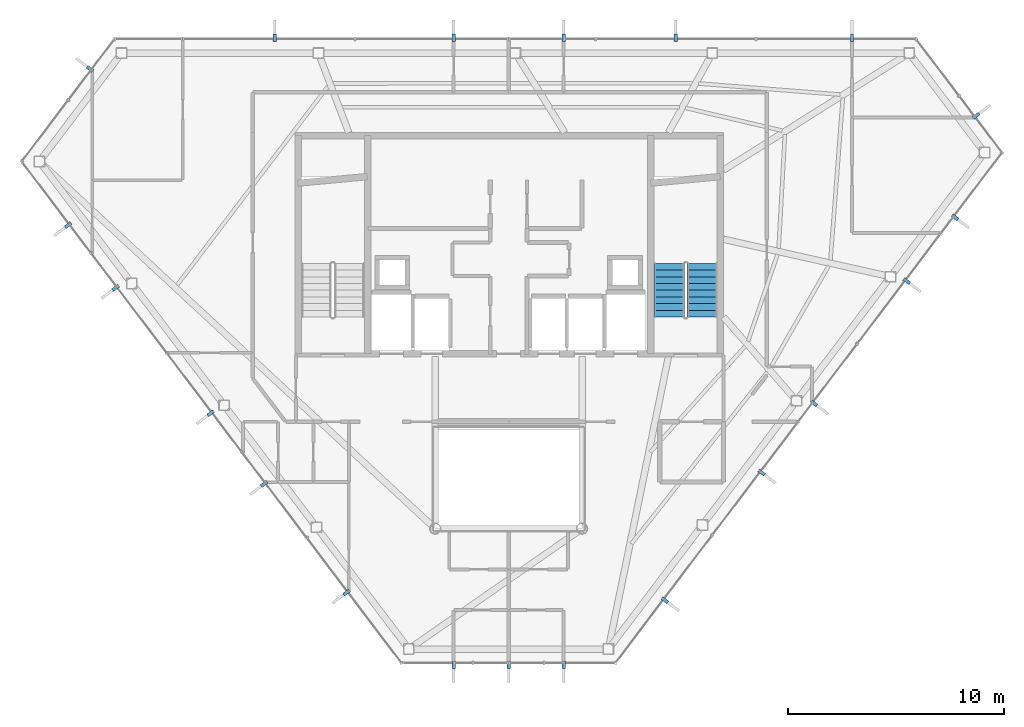
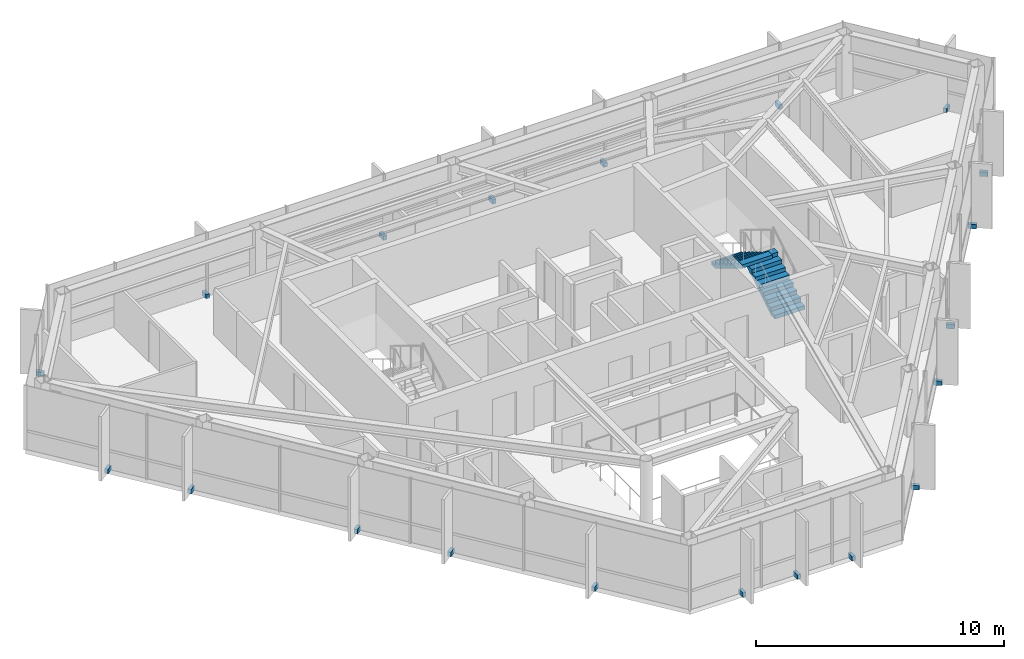
# One storey, part 25 of 26: 20 discrete accessories, 2 stair flights, 1 element without a shape of its own.
"""IFC4 building model written with IfcOpenShell, lengths in metres."""

from ifc_helpers import new_model, si_unit, direction, frame, origin, origin_2d, place, context, subcontext, project, spatial, polyline, rectangle, outline, extrude, material, type_object, element, aggregate, save


model = new_model("IFC4")

# Units and contexts
model_context = context("Model", 3, precision=1e-05, world=origin(), true_north=direction((0.0, 1.0)))
body_context = subcontext(model_context, "Body", "Model", "MODEL_VIEW")
ifc_project = project(units=[si_unit("LENGTHUNIT", "METRE"), si_unit("AREAUNIT", "SQUARE_METRE"), si_unit("VOLUMEUNIT", "CUBIC_METRE"), si_unit("PLANEANGLEUNIT", "RADIAN"), si_unit("MASSUNIT", "GRAM", prefix="KILO")], contexts=[model_context])

# Site, building, storey
site_placement = place(None, origin())
site = spatial("IfcSite", under=ifc_project, at=site_placement, CompositionType="ELEMENT")
building_placement = place(site_placement, origin())
building = spatial("IfcBuilding", under=site, at=building_placement, Name="Zarrinselat Tower", CompositionType="ELEMENT")
storey_placement = place(building_placement, frame((0.0, 0.0, 258.39990234375)))
storey = spatial("IfcBuildingStorey", under=building, at=storey_placement, Name="L65", CompositionType="ELEMENT", Elevation=258.39990234375)

# Stair, stair flights
ifc_material_1 = material(Name="Concrete C40/50", Category="concrete")
stair_type = type_object("IfcStairType", Name="STR-CORE-155", PredefinedType="HALF_TURN_STAIR", material=ifc_material_1)
stair_placement = place(storey_placement, origin())
stair = element("IfcStair", 1, at=stair_placement, inside=storey, type_object=stair_type, Name="L65 Core Exit Stair 2", PredefinedType="HALF_TURN_STAIR")
ifc_material_2 = material(Name="Concrete C40/50", Category="concrete")
stair_flight_type = type_object("IfcStairFlightType", Name="STR-FLT-155", PredefinedType="STRAIGHT", material=ifc_material_2)
stair_flight_1_placement = place(storey_placement, frame((47.360107421875, 35.0, 0.0), z_axis=(0.0, 0.0, 1.0), x_axis=(0.0, 1.0, 0.0)))
stair_flight_1 = element("IfcStairFlight", 2, at=stair_flight_1_placement, type_object=stair_flight_type, Name="ST-2 flight 1", NumberOfRisers=9, NumberOfTreads=8, PredefinedType="STRAIGHT", RiserHeight=0.188888889, TreadLength=0.31, context=body_context, shape_type="SweptSolid", body=[
    extrude(outline(polyline([(0.0, 0.0), (0.0, 0.18896484375), (0.31005859375, 0.18896484375), (0.31005859375, 0.377685546875), (0.6201171875, 0.377685546875), (0.6201171875, 0.566650390625), (0.929931640625, 0.566650390625), (0.929931640625, 0.755615234375), (1.239990234375, 0.755615234375), (1.239990234375, 0.9443359375), (1.550048828125, 0.9443359375), (1.550048828125, 1.13330078125), (1.860107421875, 1.13330078125), (1.860107421875, 1.322265625), (2.169921875, 1.322265625), (2.169921875, 1.51123046875), (2.47998046875, 1.51123046875), (2.47998046875, 1.699951171875), (2.47998046875, 1.335693359375), (0.2880859375, 0.0), (0.0, 0.0)])), frame((0.0, 0.699951171875, 0.0), z_axis=(0.0, -1.0, 0.0), x_axis=(1.0, 0.0, 0.0)), (0.0, 0.0, 1.0), 1.39990234375),
])
stair_flight_2_placement = place(storey_placement, frame((45.840087890625, 37.47998046875, 1.7001953125), z_axis=(0.0, 0.0, 1.0), x_axis=(0.0, -1.0, 0.0)))
stair_flight_2 = element("IfcStairFlight", 3, at=stair_flight_2_placement, type_object=stair_flight_type, Name="ST-2 flight 2", NumberOfRisers=9, NumberOfTreads=8, PredefinedType="STRAIGHT", RiserHeight=0.188888889, TreadLength=0.31, context=body_context, shape_type="SweptSolid", body=[
    extrude(outline(polyline([(0.0, 0.0), (0.0, 0.18896484375), (0.31005859375, 0.18896484375), (0.31005859375, 0.377685546875), (0.6201171875, 0.377685546875), (0.6201171875, 0.566650390625), (0.929931640625, 0.566650390625), (0.929931640625, 0.755615234375), (1.239990234375, 0.755615234375), (1.239990234375, 0.9443359375), (1.550048828125, 0.9443359375), (1.550048828125, 1.13330078125), (1.860107421875, 1.13330078125), (1.860107421875, 1.322265625), (2.169921875, 1.322265625), (2.169921875, 1.51123046875), (2.47998046875, 1.51123046875), (2.47998046875, 1.699951171875), (2.47998046875, 1.335693359375), (0.2880859375, 0.0), (0.0, 0.0)])), frame((0.0, 0.699951171875, 0.0), z_axis=(0.0, -1.0, 0.0), x_axis=(1.0, 0.0, 0.0)), (0.0, 0.0, 1.0), 1.39990234375),
])
aggregate(stair, [stair_flight_1, stair_flight_2])

# Discrete accessories
ifc_material_3 = material(Name="Steel S355J2", Category="steel")
discrete_accessory_type = type_object("IfcDiscreteAccessoryType", Name="ACC-FIN-BRACKET", PredefinedType="BRACKET", material=ifc_material_3)
for number, where, z_axis, x_axis, name in (
    (4, (54.301025390625, 47.936767578125, -0.0498046875), (0.0, 0.0, 1.0), (0.0, 1.0, 0.0), "L65 Fin Fixing Bracket CW-L65-E01-01"),
    (5, (46.13818359375, 47.936767578125, -0.0498046875), (0.0, 0.0, 1.0), (0.0, 1.0, 0.0), "L65 Fin Fixing Bracket CW-L65-E01-03"),
    (6, (40.949951171875, 47.936767578125, -0.0498046875), (0.0, 0.0, 1.0), (0.0, 1.0, 0.0), "L65 Fin Fixing Bracket CW-L65-E01-05"),
    (7, (35.85009765625, 47.936767578125, -0.0498046875), (0.0, 0.0, 1.0), (0.0, 1.0, 0.0), "L65 Fin Fixing Bracket CW-L65-E01-07"),
    (8, (27.57763671875, 47.936767578125, -0.0498046875), (0.0, 0.0, 1.0), (0.0, 1.0, 0.0), "L65 Fin Fixing Bracket CW-L65-E01-09"),
    (9, (19.01806640625, 46.48388671875, -0.0498046875), (0.0, 0.0, 1.0), (-0.797094404793, 0.60385470922, 0.0), "L65 Fin Fixing Bracket CW-L65-E02-01"),
    (10, (18.00390625, 39.253662109375, -0.0498046875), (0.0, 0.0, 1.0), (-0.797091697694, -0.603858282603, 0.0), "L65 Fin Fixing Bracket CW-L65-E03-01"),
    (11, (20.20361328125, 36.35009765625, -0.0498046875), (0.0, 0.0, 1.0), (-0.797091697694, -0.603858282603, 0.0), "L65 Fin Fixing Bracket CW-L65-E03-03"),
    (12, (24.602783203125, 30.54296875, -0.0498046875), (0.0, 0.0, 1.0), (-0.797091697694, -0.603858282603, 0.0), "L65 Fin Fixing Bracket CW-L65-E03-05"),
    (13, (27.081298828125, 27.271484375, -0.0498046875), (0.0, 0.0, 1.0), (-0.797091697694, -0.603858282603, 0.0), "L65 Fin Fixing Bracket CW-L65-E03-07"),
    (14, (30.894287109375, 22.23828125, -0.0498046875), (0.0, 0.0, 1.0), (-0.797091697694, -0.603858282603, 0.0), "L65 Fin Fixing Bracket CW-L65-E03-09"),
    (15, (35.85009765625, 18.901123046875, -0.0498046875), (0.0, 0.0, 1.0), (0.0, -1.0, 0.0), "L65 Fin Fixing Bracket CW-L65-E04-01"),
    (16, (38.39990234375, 18.901123046875, -0.0498046875), (0.0, 0.0, 1.0), (0.0, -1.0, 0.0), "L65 Fin Fixing Bracket CW-L65-E04-03"),
    (17, (40.949951171875, 18.901123046875, -0.0498046875), (0.0, 0.0, 1.0), (0.0, -1.0, 0.0), "L65 Fin Fixing Bracket CW-L65-E04-05"),
    (18, (45.637451171875, 21.884033203125, -0.0498046875), (0.0, 0.0, 1.0), (0.7970907221, -0.603859570382, 0.0), "L65 Fin Fixing Bracket CW-L65-E05-01"),
    (19, (50.115234375, 27.794921875, -0.0498046875), (0.0, 0.0, 1.0), (0.7970907221, -0.603859570382, 0.0), "L65 Fin Fixing Bracket CW-L65-E05-03"),
    (20, (52.54296875, 30.99951171875, -0.0498046875), (0.0, 0.0, 1.0), (0.7970907221, -0.603859570382, 0.0), "L65 Fin Fixing Bracket CW-L65-E05-05"),
    (21, (56.83203125, 36.660888671875, -0.0498046875), (0.0, 0.0, 1.0), (0.7970907221, -0.603859570382, 0.0), "L65 Fin Fixing Bracket CW-L65-E05-07"),
    (22, (59.07080078125, 39.6162109375, -0.0498046875), (0.0, 0.0, 1.0), (0.7970907221, -0.603859570382, 0.0), "L65 Fin Fixing Bracket CW-L65-E05-09"),
    (23, (60.051513671875, 44.3173828125, -0.0498046875), (0.0, 0.0, 1.0), (0.797091705482, 0.603858272322, 0.0), "L65 Fin Fixing Bracket CW-L65-E06-01"),
):
    element("IfcDiscreteAccessory", number, at=place(storey_placement, frame(where, z_axis=z_axis, x_axis=x_axis)), inside=storey, type_object=discrete_accessory_type, Name=name, PredefinedType="BRACKET", context=body_context, shape_type="SweptSolid", body=[
        extrude(rectangle(XDim=0.340087890625, YDim=0.159912109375, at=origin_2d()), origin(), (0.0, 0.0, 1.0), 0.219970703125),
    ])

save(model, "model.ifc")
